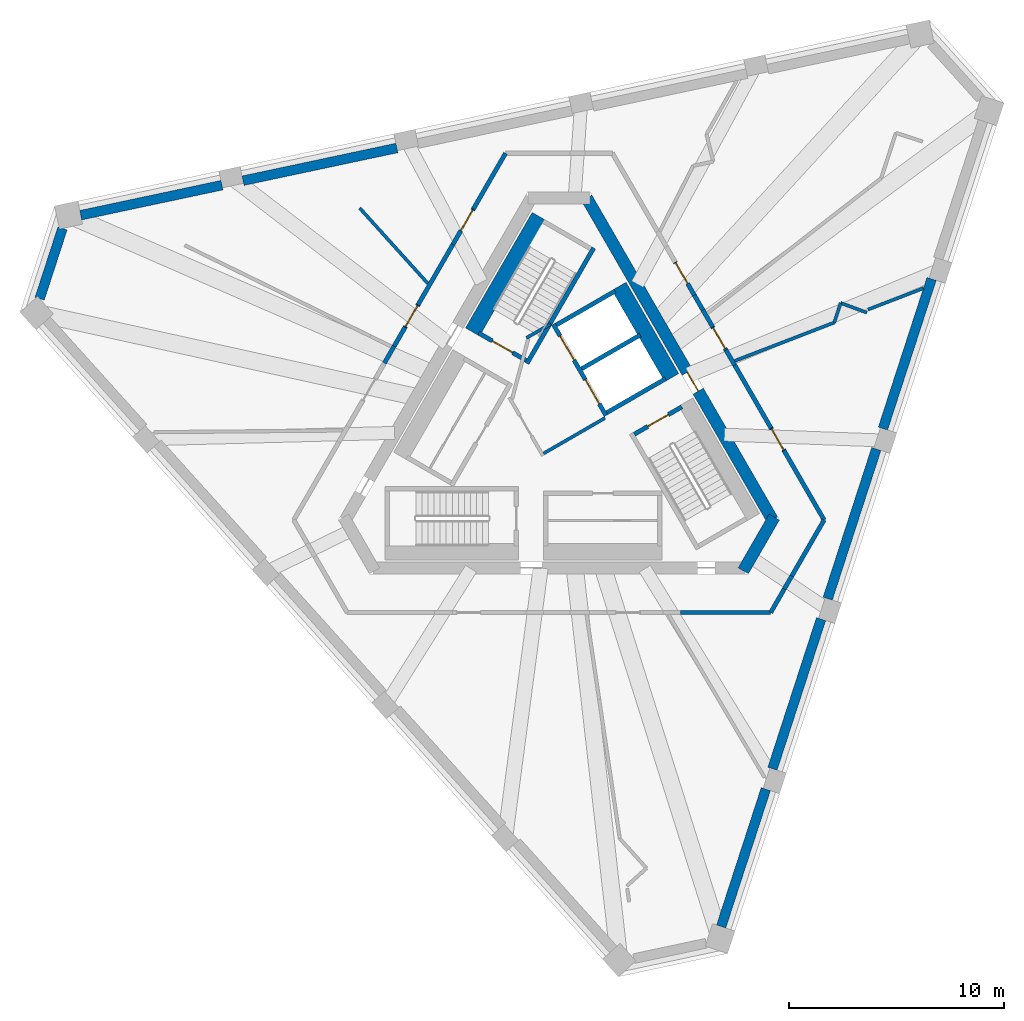
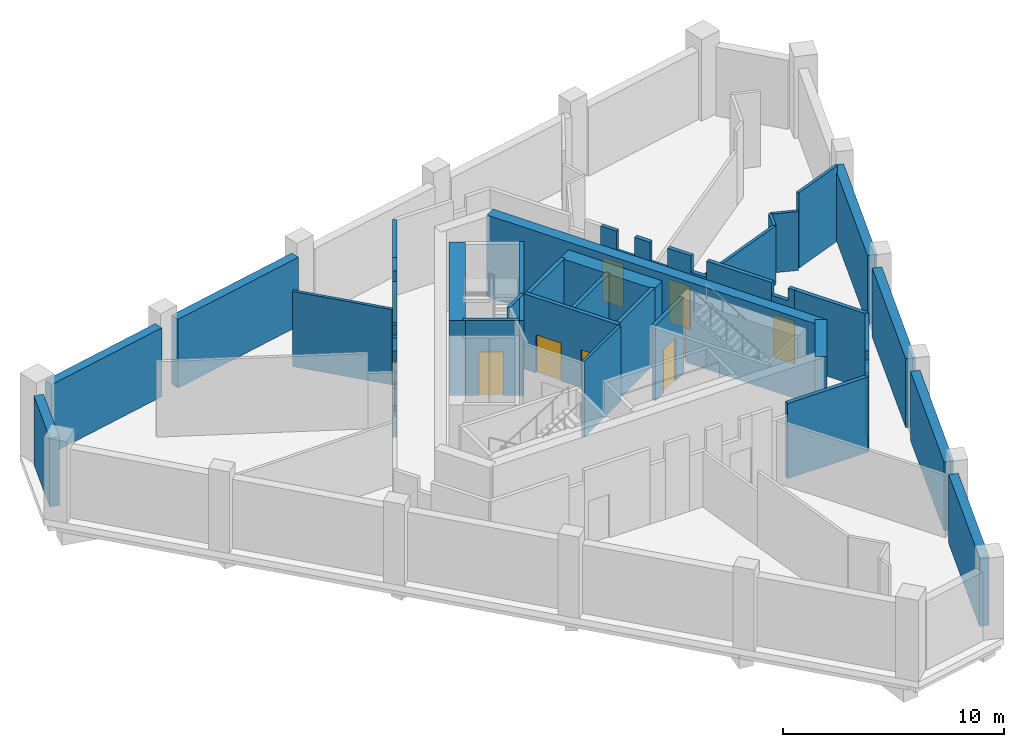
# One storey, part 3 of 5: 43 walls, 10 doors, 10 openings.
"""IFC4 building model written with IfcOpenShell, lengths in metres."""

from ifc_helpers import new_model, si_unit, direction, frame, frame_2d, origin, place, context, subcontext, project, spatial, polyline, rectangle, outline, extrude, material, layer, layer_set, type_object, element, fill, save


model = new_model("IFC4")

# Units and contexts
model_context = context("Model", 3, precision=1e-05, world=origin(), true_north=direction((0.0, 1.0)))
body_context = subcontext(model_context, "Body", "Model", "MODEL_VIEW")
ifc_project = project(units=[si_unit("LENGTHUNIT", "METRE"), si_unit("AREAUNIT", "SQUARE_METRE"), si_unit("VOLUMEUNIT", "CUBIC_METRE"), si_unit("PLANEANGLEUNIT", "RADIAN"), si_unit("MASSUNIT", "GRAM", prefix="KILO")], contexts=[model_context])

# Site, building, storey
site_placement = place(None, origin())
site = spatial("IfcSite", under=ifc_project, at=site_placement, CompositionType="ELEMENT")
building_placement = place(site_placement, origin())
building = spatial("IfcBuilding", under=site, at=building_placement, Name="Tramontana Tower", CompositionType="ELEMENT")
storey_placement = place(building_placement, frame((0.0, 0.0, 356.89990234375)))
storey = spatial("IfcBuildingStorey", under=building, at=storey_placement, Name="L82", CompositionType="ELEMENT", Elevation=356.89990234375)

# Wall
ifc_material_1 = material(Name="Concrete 70 MPa", Category="concrete")
ifc_layer_1 = layer(ifc_material_1, 0.550048828125)
ifc_layer_set_1 = layer_set([ifc_layer_1], Name="Core wall 550 70 MPa")
wall_type_1 = type_object("IfcWallType", Name="Core wall 550 70 MPa", PredefinedType="SHEAR", material=ifc_layer_set_1)
wall_1_placement = place(storey_placement, frame((8.56640625, -6.612548828125, 0.0), z_axis=(0.0, 0.0, 1.0), x_axis=(0.499995765644, 0.866027848477, 0.0)))
element("IfcWall", 1, at=wall_1_placement, inside=storey, type_object=wall_type_1, Name="Core wall C4 L82", PredefinedType="SHEAR", context=body_context, shape_type="SweptSolid", body=[
    extrude(rectangle(XDim=2.88671875, YDim=0.550048828125, at=frame_2d((1.443359375, 0.0))), origin(), (0.0, 0.0, 1.0), 4.5),
])

# Wall, opening, door
wall_2_placement = place(storey_placement, frame((9.930419921875, -4.25, 0.0), z_axis=(0.0, 0.0, 1.0), x_axis=(-0.499994590896, 0.86602852671, 0.0)))
wall_2 = element("IfcWall", 2, at=wall_2_placement, inside=storey, type_object=wall_type_1, Name="Core wall C5 L82", PredefinedType="SHEAR", context=body_context, shape_type="SweptSolid", body=[
    extrude(rectangle(XDim=17.291748046875, YDim=0.550048828125, at=frame_2d((8.64599609375, 0.0))), origin(), (0.0, 0.0, 1.0), 4.5),
])
opening_1_placement = place(wall_2_placement, frame((6.9208984375, 0.0, 0.0)))
opening_1 = element("IfcOpeningElement", 3, at=opening_1_placement, cuts=wall_2, Name="Opening RG3", PredefinedType="OPENING", context=body_context, shape_type="SweptSolid", body=[
    extrude(rectangle(XDim=1.0, YDim=2.39990234375, at=frame_2d((0.5, 1.199951171875))), frame((0.0, 0.284912109375, 0.0), z_axis=(0.0, -1.0, 0.0), x_axis=(1.0, 0.0, 0.0)), (0.0, 0.0, 1.0), 0.570068359375),
])
ifc_material_2 = material(Name="Painted steel", Category="steel")
door_type_1 = type_object("IfcDoorType", Name="RING DOOR 1000", OperationType="SINGLE_SWING_LEFT", PredefinedType="DOOR", material=ifc_material_2)
door_1_placement = place(opening_1_placement, origin())
door_1 = element("IfcDoor", 4, at=door_1_placement, inside=storey, type_object=door_type_1, Name="Door RG3", OperationType="SINGLE_SWING_RIGHT", OverallHeight=2.39990234375, OverallWidth=1.0, PredefinedType="DOOR", context=body_context, shape_type="SweptSolid", body=[
    extrude(rectangle(XDim=1.0, YDim=2.39990234375, at=frame_2d((0.5, 1.199951171875))), frame((0.0, 0.02490234375, 0.0), z_axis=(0.0, -1.0, 0.0), x_axis=(1.0, 0.0, 0.0)), (0.0, 0.0, 1.0), 0.050048828125),
])
fill(opening_1, door_1)

# Walls
ifc_material_3 = material(Name="Blockwork", Category="masonry")
ifc_layer_2 = layer(ifc_material_3, 0.199951171875)
ifc_layer_set_2 = layer_set([ifc_layer_2], Name="ENTRY WALL 200")
wall_type_2 = type_object("IfcWallType", Name="ENTRY WALL 200", PredefinedType="SOLIDWALL", material=ifc_layer_set_2)
wall_3_placement = place(storey_placement, frame((12.326416015625, -4.25, 0.0), z_axis=(0.0, 0.0, 1.0), x_axis=(-0.500003959331, -0.866023117852, 0.0)))
element("IfcWall", 5, at=wall_3_placement, inside=storey, type_object=wall_type_2, Name="Wall ew0-0", PredefinedType="SOLIDWALL", context=body_context, shape_type="SweptSolid", body=[
    extrude(rectangle(XDim=3.0029296875, YDim=0.199951171875, at=frame_2d((1.50146484375, 0.0))), origin(), (0.0, 0.0, 1.0), 4.150146484375),
])
wall_4_placement = place(storey_placement, frame((10.824951171875, -6.8505859375, 0.0), z_axis=(0.0, 0.0, 1.0), x_axis=(-0.500144223137, -0.865942120504, 0.0)))
element("IfcWall", 6, at=wall_4_placement, inside=storey, type_object=wall_type_2, Name="Wall ew0-1", PredefinedType="SOLIDWALL", context=body_context, shape_type="SweptSolid", body=[
    extrude(rectangle(XDim=0.701416015625, YDim=0.199951171875, at=frame_2d((0.3505859375, 0.0))), origin(), (0.0, 0.0, 1.0), 3.4501953125),
])
wall_5_placement = place(storey_placement, frame((10.47412109375, -7.4580078125, 0.0), z_axis=(0.0, 0.0, 1.0), x_axis=(-0.499929168788, -0.866066294342, 0.0)))
element("IfcWall", 7, at=wall_5_placement, inside=storey, type_object=wall_type_2, Name="Wall ew0-2", PredefinedType="SOLIDWALL", context=body_context, shape_type="SweptSolid", body=[
    extrude(rectangle(XDim=1.260986328125, YDim=0.199951171875, at=frame_2d((0.63037109375, 0.0))), origin(), (0.0, 0.0, 1.0), 4.150146484375),
])
wall_6_placement = place(storey_placement, frame((9.84375, -8.550048828125, 0.0), z_axis=(0.0, 0.0, 1.0), x_axis=(-1.0, 0.0, 0.0)))
element("IfcWall", 8, at=wall_6_placement, inside=storey, type_object=wall_type_2, Name="Wall ew1-0", PredefinedType="SOLIDWALL", context=body_context, shape_type="SweptSolid", body=[
    extrude(rectangle(XDim=4.1943359375, YDim=0.199951171875, at=frame_2d((2.09716796875, 0.0))), origin(), (0.0, 0.0, 1.0), 4.150146484375),
])
wall_7_placement = place(storey_placement, frame((-8.11572265625, 3.043212890625, 0.0), z_axis=(0.0, 0.0, 1.0), x_axis=(0.499994660107, 0.866028486751, 0.0)))
element("IfcWall", 9, at=wall_7_placement, inside=storey, type_object=wall_type_2, Name="Wall ew3-5", PredefinedType="SOLIDWALL", context=body_context, shape_type="SweptSolid", body=[
    extrude(rectangle(XDim=0.90576171875, YDim=0.199951171875, at=frame_2d((0.452880859375, 0.0))), origin(), (0.0, 0.0, 1.0), 3.050048828125),
])
wall_8_placement = place(storey_placement, frame((-7.662841796875, 3.82763671875, 0.0), z_axis=(0.0, 0.0, 1.0), x_axis=(0.500033846865, 0.866005861406, 0.0)))
element("IfcWall", 10, at=wall_8_placement, inside=storey, type_object=wall_type_2, Name="Wall ew3-6", PredefinedType="SOLIDWALL", context=body_context, shape_type="SweptSolid", body=[
    extrude(rectangle(XDim=1.01806640625, YDim=0.199951171875, at=frame_2d((0.509033203125, 0.0))), origin(), (0.0, 0.0, 1.0), 4.150146484375),
])

# Wall, opening, door
wall_9_placement = place(storey_placement, frame((-7.15380859375, 4.709228515625, 0.0), z_axis=(0.0, 0.0, 1.0), x_axis=(0.500033551112, 0.866006032174, 0.0)))
wall_9 = element("IfcWall", 11, at=wall_9_placement, inside=storey, type_object=wall_type_2, Name="Wall ew3-7", PredefinedType="SOLIDWALL", context=body_context, shape_type="SweptSolid", body=[
    extrude(outline(polyline([(0.0, 0.0), (1.2001953125, 0.0), (1.199951171875, 4.150146484375), (1.027099609375, 4.150146484375), (1.027099609375, 3.25), (0.22021484375, 3.25), (0.22021484375, 4.150146484375), (0.0, 4.150146484375), (0.0, 0.0)])), frame((0.0, 0.10009765625, 0.0), z_axis=(0.0, -1.0, 0.0), x_axis=(1.0, 0.0, 0.0)), (0.0, 0.0, 1.0), 0.199951171875),
])
opening_2_placement = place(wall_9_placement, frame((0.050048828125, 0.0, 0.0)))
opening_2 = element("IfcOpeningElement", 12, at=opening_2_placement, cuts=wall_9, Name="Opening L82-01", PredefinedType="OPENING", context=body_context, shape_type="SweptSolid", body=[
    extrude(rectangle(XDim=1.10009765625, YDim=2.39990234375, at=frame_2d((0.550048828125, 1.199951171875))), frame((0.0, 0.10986328125, 0.0), z_axis=(0.0, -1.0, 0.0), x_axis=(1.0, 0.0, 0.0)), (0.0, 0.0, 1.0), 0.219970703125),
])
ifc_material_4 = material(Name="Painted timber", Category="wood")
door_type_2 = type_object("IfcDoorType", Name="DOOR ENTRY 1100", OperationType="SINGLE_SWING_LEFT", PredefinedType="DOOR", material=ifc_material_4)
door_2_placement = place(opening_2_placement, origin())
door_2 = element("IfcDoor", 13, at=door_2_placement, inside=storey, type_object=door_type_2, Name="Door L82-01", OperationType="SINGLE_SWING_LEFT", OverallHeight=2.39990234375, OverallWidth=1.10009765625, PredefinedType="DOOR", context=body_context, shape_type="SweptSolid", body=[
    extrude(rectangle(XDim=1.10009765625, YDim=2.39990234375, at=frame_2d((0.550048828125, 1.199951171875))), frame((0.0, 0.02490234375, 0.0), z_axis=(0.0, -1.0, 0.0), x_axis=(1.0, 0.0, 0.0)), (0.0, 0.0, 1.0), 0.050048828125),
])
fill(opening_2, door_2)

# Wall
wall_10_placement = place(storey_placement, frame((-6.5537109375, 5.74853515625, 0.0), z_axis=(0.0, 0.0, 1.0), x_axis=(0.499984717929, 0.866034226713, 0.0)))
element("IfcWall", 14, at=wall_10_placement, inside=storey, type_object=wall_type_2, Name="Wall ew3-8", PredefinedType="SOLIDWALL", context=body_context, shape_type="SweptSolid", body=[
    extrude(rectangle(XDim=3.25, YDim=0.199951171875, at=frame_2d((1.625, 0.0))), origin(), (0.0, 0.0, 1.0), 4.150146484375),
])

# Wall, opening, door
wall_11_placement = place(storey_placement, frame((-4.9287109375, 8.563232421875, 0.0), z_axis=(0.0, 0.0, 1.0), x_axis=(0.49999508309, 0.866028242545, 0.0)))
wall_11 = element("IfcWall", 15, at=wall_11_placement, inside=storey, type_object=wall_type_2, Name="Wall ew3-9", PredefinedType="SOLIDWALL", context=body_context, shape_type="SweptSolid", body=[
    extrude(outline(polyline([(0.0, 0.0), (1.88623046875, 0.0), (1.885986328125, 4.150146484375), (0.826416015625, 4.150146484375), (0.826416015625, 3.4501953125), (0.0, 3.4501953125), (0.0, 0.0)])), frame((0.0, 0.10009765625, 0.0), z_axis=(0.0, -1.0, 0.0), x_axis=(1.0, 0.0, 0.0)), (0.0, 0.0, 1.0), 0.199951171875),
])
opening_3_placement = place(wall_11_placement, frame((0.736083984375, 0.0, 0.0)))
opening_3 = element("IfcOpeningElement", 16, at=opening_3_placement, cuts=wall_11, Name="Opening L82-08", PredefinedType="OPENING", context=body_context, shape_type="SweptSolid", body=[
    extrude(rectangle(XDim=1.10009765625, YDim=2.39990234375, at=frame_2d((0.550048828125, 1.199951171875))), frame((0.0, 0.10986328125, 0.0), z_axis=(0.0, -1.0, 0.0), x_axis=(1.0, 0.0, 0.0)), (0.0, 0.0, 1.0), 0.219970703125),
])
door_3_placement = place(opening_3_placement, origin())
door_3 = element("IfcDoor", 17, at=door_3_placement, inside=storey, type_object=door_type_2, Name="Door L82-08", OperationType="SINGLE_SWING_RIGHT", OverallHeight=2.39990234375, OverallWidth=1.10009765625, PredefinedType="DOOR", context=body_context, shape_type="SweptSolid", body=[
    extrude(rectangle(XDim=1.10009765625, YDim=2.39990234375, at=frame_2d((0.550048828125, 1.199951171875))), frame((0.0, 0.02490234375, 0.0), z_axis=(0.0, -1.0, 0.0), x_axis=(1.0, 0.0, 0.0)), (0.0, 0.0, 1.0), 0.050048828125),
])
fill(opening_3, door_3)

# Wall
wall_12_placement = place(storey_placement, frame((-3.985595703125, 10.19677734375, 0.0), z_axis=(0.0, 0.0, 1.0), x_axis=(0.499982583329, 0.866035459071, 0.0)))
element("IfcWall", 18, at=wall_12_placement, inside=storey, type_object=wall_type_2, Name="Wall ew3-10", PredefinedType="SOLIDWALL", context=body_context, shape_type="SweptSolid", body=[
    extrude(rectangle(XDim=3.005859375, YDim=0.199951171875, at=frame_2d((1.5029296875, 0.0))), origin(), (0.0, 0.0, 1.0), 4.150146484375),
])

# Wall, opening, door
wall_13_placement = place(storey_placement, frame((5.405517578125, 7.7373046875, 0.0), z_axis=(0.0, 0.0, 1.0), x_axis=(0.500013151769, -0.866017810474, 0.0)))
wall_13 = element("IfcWall", 19, at=wall_13_placement, inside=storey, type_object=wall_type_2, Name="Wall ew5-3", PredefinedType="SOLIDWALL", context=body_context, shape_type="SweptSolid", body=[
    extrude(outline(polyline([(0.0, 0.0), (1.76904296875, 0.0), (1.768798828125, 3.050048828125), (0.824951171875, 3.050048828125), (0.824951171875, 4.150146484375), (0.0, 4.150146484375), (0.0, 0.0)])), frame((0.0, 0.10009765625, 0.0), z_axis=(0.0, -1.0, 0.0), x_axis=(1.0, 0.0, 0.0)), (0.0, 0.0, 1.0), 0.199951171875),
])
opening_4_placement = place(wall_13_placement, frame((0.050048828125, 0.0, 0.0)))
opening_4 = element("IfcOpeningElement", 20, at=opening_4_placement, cuts=wall_13, Name="Opening L82-07", PredefinedType="OPENING", context=body_context, shape_type="SweptSolid", body=[
    extrude(rectangle(XDim=1.10009765625, YDim=2.39990234375, at=frame_2d((0.550048828125, 1.199951171875))), frame((0.0, 0.10986328125, 0.0), z_axis=(0.0, -1.0, 0.0), x_axis=(1.0, 0.0, 0.0)), (0.0, 0.0, 1.0), 0.219970703125),
])
door_4_placement = place(opening_4_placement, origin())
door_4 = element("IfcDoor", 21, at=door_4_placement, inside=storey, type_object=door_type_2, Name="Door L82-07", OperationType="SINGLE_SWING_LEFT", OverallHeight=2.39990234375, OverallWidth=1.10009765625, PredefinedType="DOOR", context=body_context, shape_type="SweptSolid", body=[
    extrude(rectangle(XDim=1.10009765625, YDim=2.39990234375, at=frame_2d((0.550048828125, 1.199951171875))), frame((0.0, 0.02490234375, 0.0), z_axis=(0.0, -1.0, 0.0), x_axis=(1.0, 0.0, 0.0)), (0.0, 0.0, 1.0), 0.050048828125),
])
fill(opening_4, door_4)

# Walls
wall_14_placement = place(storey_placement, frame((6.2900390625, 6.205322265625, 0.0), z_axis=(0.0, 0.0, 1.0), x_axis=(0.500045602705, -0.86599907345, 0.0)))
element("IfcWall", 22, at=wall_14_placement, inside=storey, type_object=wall_type_2, Name="Wall ew5-4", PredefinedType="SOLIDWALL", context=body_context, shape_type="SweptSolid", body=[
    extrude(rectangle(XDim=0.806640625, YDim=0.199951171875, at=frame_2d((0.4033203125, 0.0))), origin(), (0.0, 0.0, 1.0), 4.150146484375),
])
wall_15_placement = place(storey_placement, frame((6.693359375, 5.5068359375, 0.0), z_axis=(0.0, 0.0, 1.0), x_axis=(0.499994660107, -0.866028486751, 0.0)))
element("IfcWall", 23, at=wall_15_placement, inside=storey, type_object=wall_type_2, Name="Wall ew5-5", PredefinedType="SOLIDWALL", context=body_context, shape_type="SweptSolid", body=[
    extrude(rectangle(XDim=0.90576171875, YDim=0.199951171875, at=frame_2d((0.452880859375, 0.0))), origin(), (0.0, 0.0, 1.0), 3.050048828125),
])

# Wall, opening, door
wall_16_placement = place(storey_placement, frame((7.146240234375, 4.722412109375, 0.0), z_axis=(0.0, 0.0, 1.0), x_axis=(0.499955681623, -0.866050989499, 0.0)))
wall_16 = element("IfcWall", 24, at=wall_16_placement, inside=storey, type_object=wall_type_2, Name="Wall ew5-6", PredefinedType="SOLIDWALL", context=body_context, shape_type="SweptSolid", body=[
    extrude(rectangle(XDim=1.23828125, YDim=0.199951171875, at=frame_2d((0.619140625, 0.0))), origin(), (0.0, 0.0, 1.0), 4.150146484375),
])
opening_5_placement = place(wall_16_placement, frame((0.05029296875, 0.0, 0.0)))
opening_5 = element("IfcOpeningElement", 25, at=opening_5_placement, cuts=wall_16, Name="Opening L82-06", PredefinedType="OPENING", context=body_context, shape_type="SweptSolid", body=[
    extrude(rectangle(XDim=1.10009765625, YDim=2.39990234375, at=frame_2d((0.550048828125, 1.199951171875))), frame((0.0, 0.10986328125, 0.0), z_axis=(0.0, -1.0, 0.0), x_axis=(1.0, 0.0, 0.0)), (0.0, 0.0, 1.0), 0.219970703125),
])
door_5_placement = place(opening_5_placement, origin())
door_5 = element("IfcDoor", 26, at=door_5_placement, inside=storey, type_object=door_type_2, Name="Door L82-06", OperationType="SINGLE_SWING_RIGHT", OverallHeight=2.39990234375, OverallWidth=1.10009765625, PredefinedType="DOOR", context=body_context, shape_type="SweptSolid", body=[
    extrude(rectangle(XDim=1.10009765625, YDim=2.39990234375, at=frame_2d((0.550048828125, 1.199951171875))), frame((0.0, 0.02490234375, 0.0), z_axis=(0.0, -1.0, 0.0), x_axis=(1.0, 0.0, 0.0)), (0.0, 0.0, 1.0), 0.050048828125),
])
fill(opening_5, door_5)

# Walls
wall_17_placement = place(storey_placement, frame((7.765380859375, 3.64990234375, 0.0), z_axis=(0.0, 0.0, 1.0), x_axis=(0.500141487433, -0.865943700565, 0.0)))
element("IfcWall", 27, at=wall_17_placement, inside=storey, type_object=wall_type_2, Name="Wall ew5-7", PredefinedType="SOLIDWALL", context=body_context, shape_type="SweptSolid", body=[
    extrude(rectangle(XDim=0.806884765625, YDim=0.199951171875, at=frame_2d((0.4033203125, 0.0))), origin(), (0.0, 0.0, 1.0), 3.25),
])
wall_18_placement = place(storey_placement, frame((8.1689453125, 2.951171875, 0.0), z_axis=(0.0, 0.0, 1.0), x_axis=(0.499955030392, -0.866051365443, 0.0)))
element("IfcWall", 28, at=wall_18_placement, inside=storey, type_object=wall_type_2, Name="Wall ew5-8", PredefinedType="SOLIDWALL", context=body_context, shape_type="SweptSolid", body=[
    extrude(rectangle(XDim=3.392333984375, YDim=0.199951171875, at=frame_2d((1.6962890625, 0.0))), origin(), (0.0, 0.0, 1.0), 4.150146484375),
])

# Wall, opening, door
wall_19_placement = place(storey_placement, frame((9.864990234375, 0.01318359375, 0.0), z_axis=(0.0, 0.0, 1.0), x_axis=(0.50012165622, -0.865955154139, 0.0)))
wall_19 = element("IfcWall", 29, at=wall_19_placement, inside=storey, type_object=wall_type_2, Name="Wall ew5-9", PredefinedType="SOLIDWALL", context=body_context, shape_type="SweptSolid", body=[
    extrude(outline(polyline([(0.0, 0.0), (1.199951171875, 0.0), (1.199951171875, 4.150146484375), (0.85693359375, 4.150146484375), (0.85693359375, 3.4501953125), (0.0, 3.4501953125), (0.0, 0.0)])), frame((0.0, 0.10009765625, 0.0), z_axis=(0.0, -1.0, 0.0), x_axis=(1.0, 0.0, 0.0)), (0.0, 0.0, 1.0), 0.199951171875),
])
opening_6_placement = place(wall_19_placement, frame((0.050048828125, 0.0, 0.0)))
opening_6 = element("IfcOpeningElement", 30, at=opening_6_placement, cuts=wall_19, Name="Opening L82-05", PredefinedType="OPENING", context=body_context, shape_type="SweptSolid", body=[
    extrude(rectangle(XDim=1.10009765625, YDim=2.39990234375, at=frame_2d((0.550048828125, 1.199951171875))), frame((0.0, 0.10986328125, 0.0), z_axis=(0.0, -1.0, 0.0), x_axis=(1.0, 0.0, 0.0)), (0.0, 0.0, 1.0), 0.219970703125),
])
door_6_placement = place(opening_6_placement, origin())
door_6 = element("IfcDoor", 31, at=door_6_placement, inside=storey, type_object=door_type_2, Name="Door L82-05", OperationType="SINGLE_SWING_LEFT", OverallHeight=2.39990234375, OverallWidth=1.10009765625, PredefinedType="DOOR", context=body_context, shape_type="SweptSolid", body=[
    extrude(rectangle(XDim=1.10009765625, YDim=2.39990234375, at=frame_2d((0.550048828125, 1.199951171875))), frame((0.0, 0.02490234375, 0.0), z_axis=(0.0, -1.0, 0.0), x_axis=(1.0, 0.0, 0.0)), (0.0, 0.0, 1.0), 0.050048828125),
])
fill(opening_6, door_6)

# Walls
wall_20_placement = place(storey_placement, frame((10.465087890625, -1.02587890625, 0.0), z_axis=(0.0, 0.0, 1.0), x_axis=(0.499976014784, -0.866039251212, 0.0)))
element("IfcWall", 32, at=wall_20_placement, inside=storey, type_object=wall_type_2, Name="Wall ew5-10", PredefinedType="SOLIDWALL", context=body_context, shape_type="SweptSolid", body=[
    extrude(rectangle(XDim=3.722900390625, YDim=0.199951171875, at=frame_2d((1.861328125, 0.0))), origin(), (0.0, 0.0, 1.0), 4.150146484375),
])
ifc_material_5 = material(Name="Precast concrete 60 MPa", Category="concrete")
ifc_layer_3 = layer(ifc_material_5, 0.449951171875)
ifc_layer_set_3 = layer_set([ifc_layer_3], Name="Precast concrete 60 MPa, 450 mm")
wall_type_3 = type_object("IfcWallType", Name="EW1 Stone-faced precast wall 450", PredefinedType="SOLIDWALL", material=ifc_layer_set_3)
wall_21_placement = place(storey_placement, frame((-23.0791015625, 9.304931640625, 0.0), z_axis=(0.0, 0.0, 1.0), x_axis=(-0.309076430482, -0.95103720228, 0.0)))
element("IfcWall", 33, at=wall_21_placement, inside=storey, type_object=wall_type_3, Name="Stone band wall L82 face 0k 1", PredefinedType="SOLIDWALL", context=body_context, shape_type="SweptSolid", body=[
    extrude(rectangle(XDim=3.435302734375, YDim=0.449951171875, at=frame_2d((1.7177734375, 0.0))), origin(), (0.0, 0.0, 1.0), 3.800048828125),
])
wall_22_placement = place(storey_placement, frame((7.541015625, -23.14794921875, 0.0), z_axis=(0.0, 0.0, 1.0), x_axis=(0.309018647645, 0.951055979114, 0.0)))
element("IfcWall", 34, at=wall_22_placement, inside=storey, type_object=wall_type_3, Name="Stone band wall L82 face 1s 1", PredefinedType="SOLIDWALL", context=body_context, shape_type="SweptSolid", body=[
    extrude(rectangle(XDim=6.7138671875, YDim=0.449951171875, at=frame_2d((3.35693359375, 0.0))), origin(), (0.0, 0.0, 1.0), 3.800048828125),
])
for number, where, z_axis, x_axis, name in (
    (35, (9.9248046875, -15.8115234375, 0.0), (0.0, 0.0, 1.0), (0.309008326872, 0.951059332494, 0.0), "Stone band wall L82 face 1s 2"),
    (36, (12.493896484375, -7.904541015625, 0.0), (0.0, 0.0, 1.0), (0.309008326872, 0.951059332494, 0.0), "Stone band wall L82 face 1s 3"),
    (37, (15.06298828125, 0.00244140625, 0.0), (0.0, 0.0, 1.0), (0.309008326872, 0.951059332494, 0.0), "Stone band wall L82 face 1s 4"),
):
    element("IfcWall", number, at=place(storey_placement, frame(where, z_axis=z_axis, x_axis=x_axis)), inside=storey, type_object=wall_type_3, Name=name, PredefinedType="SOLIDWALL", context=body_context, shape_type="SweptSolid", body=[
        extrude(rectangle(XDim=7.313720703125, YDim=0.449951171875, at=frame_2d((3.65673828125, 0.0))), origin(), (0.0, 0.0, 1.0), 3.800048828125),
    ])
wall_23_placement = place(storey_placement, frame((-15.665771484375, 11.315185546875, 0.0), z_axis=(0.0, 0.0, 1.0), x_axis=(-0.978144338977, -0.207927035587, 0.0)))
element("IfcWall", 38, at=wall_23_placement, inside=storey, type_object=wall_type_3, Name="Stone band wall L82 face 2s 1", PredefinedType="SOLIDWALL", context=body_context, shape_type="SweptSolid", body=[
    extrude(rectangle(XDim=6.7138671875, YDim=0.449951171875, at=frame_2d((3.35693359375, 0.0))), origin(), (0.0, 0.0, 1.0), 3.800048828125),
])
wall_24_placement = place(storey_placement, frame((-7.533447265625, 13.043701171875, 0.0), z_axis=(0.0, 0.0, 1.0), x_axis=(-0.978151299843, -0.207894287118, 0.0)))
element("IfcWall", 39, at=wall_24_placement, inside=storey, type_object=wall_type_3, Name="Stone band wall L82 face 2s 2", PredefinedType="SOLIDWALL", context=body_context, shape_type="SweptSolid", body=[
    extrude(rectangle(XDim=7.31396484375, YDim=0.449951171875, at=frame_2d((3.656982421875, 0.0))), origin(), (0.0, 0.0, 1.0), 3.800048828125),
])
ifc_material_6 = material(Name="Gypsum board partition")
ifc_layer_4 = layer(ifc_material_6, 0.14990234375)
ifc_layer_set_4 = layer_set([ifc_layer_4], Name="PARTITION 150")
wall_type_4 = type_object("IfcWallType", Name="PARTITION 150", PredefinedType="PARTITIONING", material=ifc_layer_set_4)
wall_25_placement = place(storey_placement, frame((-0.716796875, -1.15869140625, 0.0), z_axis=(0.0, 0.0, 1.0), x_axis=(0.866008176907, 0.50002983664, 0.0)))
element("IfcWall", 40, at=wall_25_placement, inside=storey, type_object=wall_type_4, Name="Wall ff-end0", PredefinedType="PARTITIONING", context=body_context, shape_type="SweptSolid", body=[
    extrude(rectangle(XDim=3.300048828125, YDim=0.14990234375, at=frame_2d((1.64990234375, 0.0))), origin(), (0.0, 0.0, 1.0), 4.150146484375),
])
wall_26_placement = place(storey_placement, frame((-1.509765625, 4.21484375, 0.0), z_axis=(0.0, 0.0, 1.0), x_axis=(0.866085525409, 0.49989585183, 0.0)))
element("IfcWall", 41, at=wall_26_placement, inside=storey, type_object=wall_type_4, Name="Wall ff-end1", PredefinedType="PARTITIONING", context=body_context, shape_type="SweptSolid", body=[
    extrude(rectangle(XDim=1.300048828125, YDim=0.14990234375, at=frame_2d((0.64990234375, 0.0))), origin(), (0.0, 0.0, 1.0), 4.150146484375),
])
wall_27_placement = place(storey_placement, frame((-9.26123046875, 10.248291015625, 0.0), z_axis=(0.0, 0.0, 1.0), x_axis=(0.670485503808, -0.741922630187, 0.0)))
element("IfcWall", 42, at=wall_27_placement, inside=storey, type_object=wall_type_4, Name="Wall fw-pw02", PredefinedType="PARTITIONING", context=body_context, shape_type="SweptSolid", body=[
    extrude(rectangle(XDim=4.72314453125, YDim=0.14990234375, at=frame_2d((2.361572265625, 0.0))), origin(), (0.0, 0.0, 1.0), 4.150146484375),
])
wall_28_placement = place(storey_placement, frame((8.171142578125, 3.147216796875, 0.0), z_axis=(0.0, 0.0, 1.0), x_axis=(0.933160243697, 0.359460650953, 0.0)))
element("IfcWall", 43, at=wall_28_placement, inside=storey, type_object=wall_type_4, Name="Wall fw-pw15-0", PredefinedType="PARTITIONING", context=body_context, shape_type="SweptSolid", body=[
    extrude(rectangle(XDim=4.95947265625, YDim=0.14990234375, at=frame_2d((2.479736328125, 0.0))), origin(), (0.0, 0.0, 1.0), 3.25),
])
wall_29_placement = place(storey_placement, frame((12.80029296875, 4.93115234375, 0.0), z_axis=(0.0, 0.0, 1.0), x_axis=(0.30908028689, 0.951035948982, 0.0)))
element("IfcWall", 44, at=wall_29_placement, inside=storey, type_object=wall_type_4, Name="Wall fw-pw16-0", PredefinedType="PARTITIONING", context=body_context, shape_type="SweptSolid", body=[
    extrude(rectangle(XDim=0.9541015625, YDim=0.14990234375, at=frame_2d((0.47705078125, 0.0))), origin(), (0.0, 0.0, 1.0), 3.25),
])
wall_30_placement = place(storey_placement, frame((13.09521484375, 5.838623046875, 0.0), z_axis=(0.0, 0.0, 1.0), x_axis=(0.938493614459, -0.345296590803, 0.0)))
element("IfcWall", 45, at=wall_30_placement, inside=storey, type_object=wall_type_4, Name="Wall fw-pw17-0", PredefinedType="PARTITIONING", context=body_context, shape_type="SweptSolid", body=[
    extrude(rectangle(XDim=1.301025390625, YDim=0.14990234375, at=frame_2d((0.650390625, 0.0))), origin(), (0.0, 0.0, 1.0), 3.25),
])
wall_31_placement = place(storey_placement, frame((14.362548828125, 5.531982421875, 0.0), z_axis=(0.0, 0.0, 1.0), x_axis=(0.933150029703, 0.359487165369, 0.0)))
element("IfcWall", 46, at=wall_31_placement, inside=storey, type_object=wall_type_4, Name="Wall fw-pw18", PredefinedType="PARTITIONING", context=body_context, shape_type="SweptSolid", body=[
    extrude(rectangle(XDim=2.768798828125, YDim=0.14990234375, at=frame_2d((1.38427734375, 0.0))), origin(), (0.0, 0.0, 1.0), 4.150146484375),
])
ifc_material_7 = material(Name="Concrete 70 MPa", Category="concrete")
ifc_layer_5 = layer(ifc_material_7, 0.75)
ifc_layer_set_5 = layer_set([ifc_layer_5], Name="Concrete 70 MPa, 750 mm")
wall_type_5 = type_object("IfcWallType", Name="RC SHAFT BACK WALL 750", PredefinedType="SOLIDWALL", material=ifc_layer_set_5)
wall_32_placement = place(storey_placement, frame((-0.91796875, 9.85986328125, 0.0), z_axis=(0.0, 0.0, 1.0), x_axis=(-0.500026960575, -0.86600983753, 0.0)))
element("IfcWall", 47, at=wall_32_placement, inside=storey, type_object=wall_type_5, Name="Wall st1-back", PredefinedType="SOLIDWALL", context=body_context, shape_type="SweptSolid", body=[
    extrude(rectangle(XDim=6.199951171875, YDim=0.75, at=frame_2d((3.10009765625, 0.0))), origin(), (0.0, 0.0, 1.0), 4.150146484375),
])
wall_33_placement = place(storey_placement, frame((5.242919921875, 2.368896484375, 0.0), z_axis=(0.0, 0.0, 1.0), x_axis=(-0.500002801628, 0.866023786258, 0.0)))
element("IfcWall", 48, at=wall_33_placement, inside=storey, type_object=wall_type_5, Name="Wall row2-back", PredefinedType="SOLIDWALL", context=body_context, shape_type="SweptSolid", body=[
    extrude(rectangle(XDim=4.89990234375, YDim=0.75, at=frame_2d((2.449951171875, 0.0))), origin(), (0.0, 0.0, 1.0), 4.150146484375),
])
ifc_material_8 = material(Name="Concrete 70 MPa", Category="concrete")
ifc_layer_6 = layer(ifc_material_8, 0.199951171875)
ifc_layer_set_6 = layer_set([ifc_layer_6], Name="Concrete 70 MPa, 200 mm")
wall_type_6 = type_object("IfcWallType", Name="RC STAIR AND SHAFT WALL 200", PredefinedType="SOLIDWALL", material=ifc_layer_set_6)
wall_34_placement = place(storey_placement, frame((1.615234375, 8.3974609375, 0.0), z_axis=(0.0, 0.0, 1.0), x_axis=(-0.500009909098, -0.866019682689, 0.0)))
element("IfcWall", 49, at=wall_34_placement, inside=storey, type_object=wall_type_6, Name="Wall st1-front", PredefinedType="SOLIDWALL", context=body_context, shape_type="SweptSolid", body=[
    extrude(rectangle(XDim=6.199951171875, YDim=0.199951171875, at=frame_2d((3.10009765625, 0.0))), origin(), (0.0, 0.0, 1.0), 4.150146484375),
])

# Wall, opening, door
wall_35_placement = place(storey_placement, frame((-1.521484375, 3.164794921875, 0.0), z_axis=(0.0, 0.0, 1.0), x_axis=(-0.866030925526, 0.499990435942, 0.0)))
wall_35 = element("IfcWall", 50, at=wall_35_placement, inside=storey, type_object=wall_type_6, Name="Wall st1-near", PredefinedType="SOLIDWALL", context=body_context, shape_type="SweptSolid", body=[
    extrude(rectangle(XDim=2.5498046875, YDim=0.199951171875, at=frame_2d((1.27490234375, 0.0))), origin(), (0.0, 0.0, 1.0), 4.150146484375),
])
opening_7_placement = place(wall_35_placement, frame((0.72509765625, 0.0, 0.0)))
opening_7 = element("IfcOpeningElement", 51, at=opening_7_placement, cuts=wall_35, Name="Opening SD1", PredefinedType="OPENING", context=body_context, shape_type="SweptSolid", body=[
    extrude(rectangle(XDim=1.10009765625, YDim=2.39990234375, at=frame_2d((0.550048828125, 1.199951171875))), frame((0.0, 0.10986328125, 0.0), z_axis=(0.0, -1.0, 0.0), x_axis=(1.0, 0.0, 0.0)), (0.0, 0.0, 1.0), 0.219970703125),
])
ifc_material_9 = material(Name="Painted steel", Category="steel")
door_type_3 = type_object("IfcDoorType", Name="STAIR DOOR 1100", OperationType="SINGLE_SWING_LEFT", PredefinedType="DOOR", material=ifc_material_9)
door_7_placement = place(opening_7_placement, origin())
door_7 = element("IfcDoor", 52, at=door_7_placement, inside=storey, type_object=door_type_3, Name="Door SD1", OperationType="SINGLE_SWING_RIGHT", OverallHeight=2.39990234375, OverallWidth=1.10009765625, PredefinedType="DOOR", context=body_context, shape_type="SweptSolid", body=[
    extrude(rectangle(XDim=1.10009765625, YDim=2.39990234375, at=frame_2d((0.550048828125, 1.199951171875))), frame((0.0, 0.02490234375, 0.0), z_axis=(0.0, -1.0, 0.0), x_axis=(1.0, 0.0, 0.0)), (0.0, 0.0, 1.0), 0.050048828125),
])
fill(opening_7, door_7)

wall_36_placement = place(storey_placement, frame((3.50146484375, -0.2646484375, 0.0), z_axis=(0.0, 0.0, 1.0), x_axis=(0.866030925526, 0.499990435942, 0.0)))
wall_36 = element("IfcWall", 53, at=wall_36_placement, inside=storey, type_object=wall_type_6, Name="Wall st3-near", PredefinedType="SOLIDWALL", context=body_context, shape_type="SweptSolid", body=[
    extrude(rectangle(XDim=2.5498046875, YDim=0.199951171875, at=frame_2d((1.27490234375, 0.0))), origin(), (0.0, 0.0, 1.0), 4.150146484375),
])
opening_8_placement = place(wall_36_placement, frame((0.72509765625, 0.0, 0.0)))
opening_8 = element("IfcOpeningElement", 54, at=opening_8_placement, cuts=wall_36, Name="Opening SD3", PredefinedType="OPENING", context=body_context, shape_type="SweptSolid", body=[
    extrude(rectangle(XDim=1.10009765625, YDim=2.39990234375, at=frame_2d((0.550048828125, 1.199951171875))), frame((0.0, 0.10986328125, 0.0), z_axis=(0.0, -1.0, 0.0), x_axis=(1.0, 0.0, 0.0)), (0.0, 0.0, 1.0), 0.219970703125),
])
door_8_placement = place(opening_8_placement, origin())
door_8 = element("IfcDoor", 55, at=door_8_placement, inside=storey, type_object=door_type_3, Name="Door SD3", OperationType="SINGLE_SWING_RIGHT", OverallHeight=2.39990234375, OverallWidth=1.10009765625, PredefinedType="DOOR", context=body_context, shape_type="SweptSolid", body=[
    extrude(rectangle(XDim=1.10009765625, YDim=2.39990234375, at=frame_2d((0.550048828125, 1.199951171875))), frame((0.0, 0.02490234375, 0.0), z_axis=(0.0, -1.0, 0.0), x_axis=(1.0, 0.0, 0.0)), (0.0, 0.0, 1.0), 0.050048828125),
])
fill(opening_8, door_8)

# Wall, openings, doors
wall_37_placement = place(storey_placement, frame((2.190185546875, 0.6064453125, 0.0), z_axis=(0.0, 0.0, 1.0), x_axis=(-0.500002801628, 0.866023786258, 0.0)))
wall_37 = element("IfcWall", 56, at=wall_37_placement, inside=storey, type_object=wall_type_6, Name="Wall row2-front", PredefinedType="SOLIDWALL", context=body_context, shape_type="SweptSolid", body=[
    extrude(rectangle(XDim=4.89990234375, YDim=0.199951171875, at=frame_2d((2.449951171875, 0.0))), origin(), (0.0, 0.0, 1.0), 4.150146484375),
])
opening_9_placement = place(wall_37_placement, frame((0.625, 0.0, 0.0)))
opening_9 = element("IfcOpeningElement", 57, at=opening_9_placement, cuts=wall_37, Name="Opening LD-F1", PredefinedType="OPENING", context=body_context, shape_type="SweptSolid", body=[
    extrude(rectangle(XDim=1.300048828125, YDim=2.10009765625, at=frame_2d((0.64990234375, 1.050048828125))), frame((0.0, 0.10986328125, 0.0), z_axis=(0.0, -1.0, 0.0), x_axis=(1.0, 0.0, 0.0)), (0.0, 0.0, 1.0), 0.219970703125),
])
opening_10_placement = place(wall_37_placement, frame((2.97509765625, 0.0, 0.0)))
opening_10 = element("IfcOpeningElement", 58, at=opening_10_placement, cuts=wall_37, Name="Opening LD-F2", PredefinedType="OPENING", context=body_context, shape_type="SweptSolid", body=[
    extrude(rectangle(XDim=1.300048828125, YDim=2.10009765625, at=frame_2d((0.64990234375, 1.050048828125))), frame((0.0, 0.10986328125, 0.0), z_axis=(0.0, -1.0, 0.0), x_axis=(1.0, 0.0, 0.0)), (0.0, 0.0, 1.0), 0.219970703125),
])
ifc_material_10 = material(Name="Brushed steel", Category="steel")
door_type_4 = type_object("IfcDoorType", Name="LANDING DOOR 1300", OperationType="SINGLE_SWING_LEFT", PredefinedType="DOOR", material=ifc_material_10)
door_9_placement = place(opening_9_placement, origin())
door_9 = element("IfcDoor", 59, at=door_9_placement, inside=storey, type_object=door_type_4, Name="Door LD-F1", OperationType="SLIDING_TO_LEFT", OverallHeight=2.10009765625, OverallWidth=1.300048828125, PredefinedType="DOOR", context=body_context, shape_type="SweptSolid", body=[
    extrude(rectangle(XDim=1.300048828125, YDim=2.10009765625, at=frame_2d((0.64990234375, 1.050048828125))), frame((0.0, 0.02490234375, 0.0), z_axis=(0.0, -1.0, 0.0), x_axis=(1.0, 0.0, 0.0)), (0.0, 0.0, 1.0), 0.050048828125),
])
fill(opening_9, door_9)
door_10_placement = place(opening_10_placement, origin())
door_10 = element("IfcDoor", 60, at=door_10_placement, inside=storey, type_object=door_type_4, Name="Door LD-F2", OperationType="SLIDING_TO_RIGHT", OverallHeight=2.10009765625, OverallWidth=1.300048828125, PredefinedType="DOOR", context=body_context, shape_type="SweptSolid", body=[
    extrude(rectangle(XDim=1.300048828125, YDim=2.10009765625, at=frame_2d((0.64990234375, 1.050048828125))), frame((0.0, 0.02490234375, 0.0), z_axis=(0.0, -1.0, 0.0), x_axis=(1.0, 0.0, 0.0)), (0.0, 0.0, 1.0), 0.050048828125),
])
fill(opening_10, door_10)

# Walls
for number, where, z_axis, x_axis, name in (
    (61, (2.226806640625, 0.742919921875, 0.0), (0.0, 0.0, 1.0), (0.866035871367, 0.499981869177, 0.0), "Wall row2-side0"),
    (62, (1.0517578125, 2.778076171875, 0.0), (0.0, 0.0, 1.0), (0.866035871367, 0.499981869177, 0.0), "Wall row2-side1"),
    (63, (-0.123046875, 4.813232421875, 0.0), (0.0, 0.0, 1.0), (0.866016494683, 0.500015430699, 0.0), "Wall row2-side2"),
):
    element("IfcWall", number, at=place(storey_placement, frame(where, z_axis=z_axis, x_axis=x_axis)), inside=storey, type_object=wall_type_6, Name=name, PredefinedType="SOLIDWALL", context=body_context, shape_type="SweptSolid", body=[
        extrude(rectangle(XDim=3.14990234375, YDim=0.199951171875, at=frame_2d((1.574951171875, 0.0))), origin(), (0.0, 0.0, 1.0), 4.150146484375),
    ])

save(model, "model.ifc")
